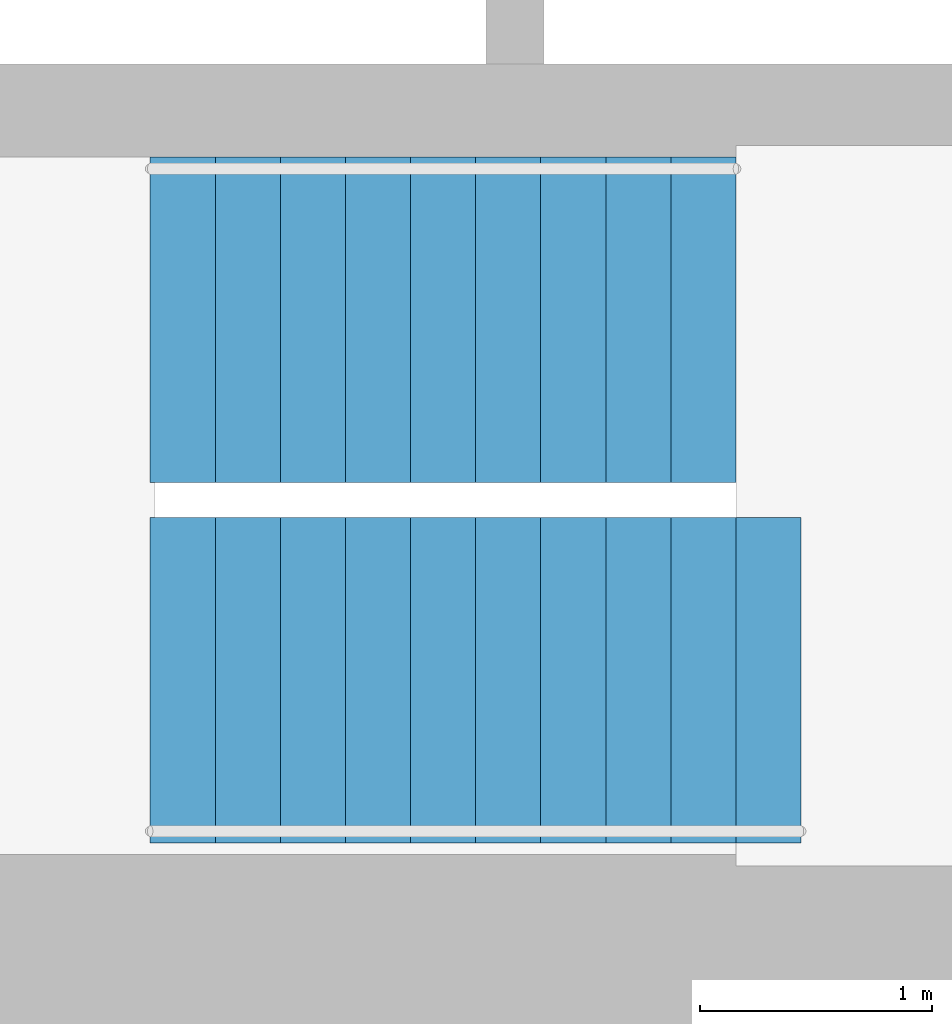
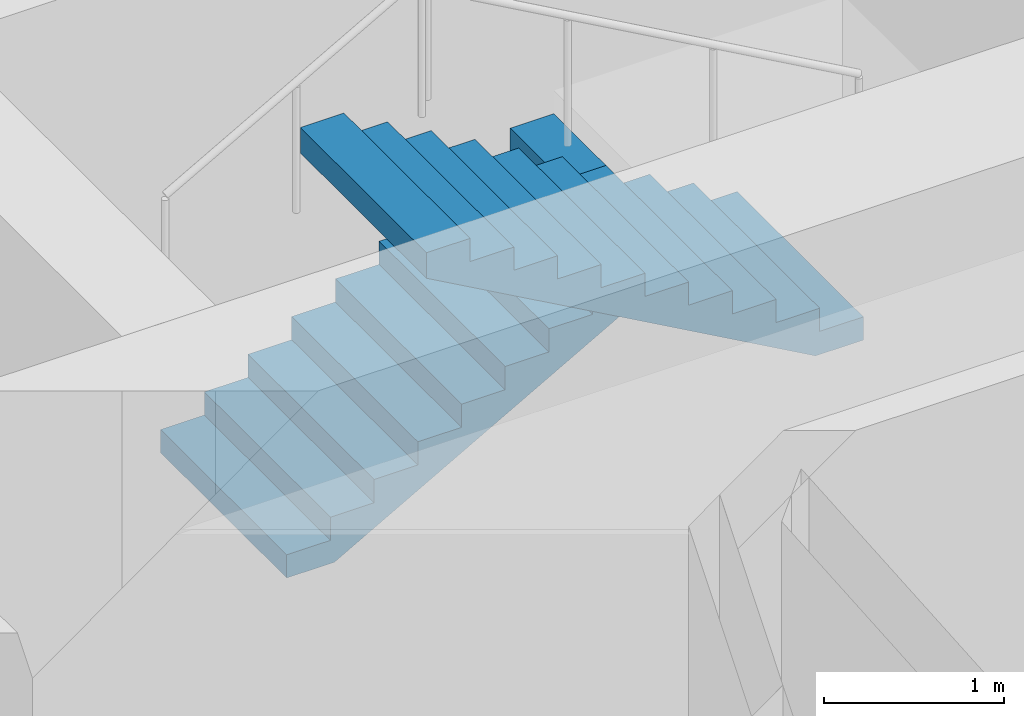
# One storey, part 13 of 14: 2 stair flights, 1 element without a shape of its own.
"""IFC4 building model written with IfcOpenShell, lengths in metres."""

import ifcopenshell
import ifcopenshell.guid

model = None  # the IFC model being written
_history = None  # IfcOwnerHistory: only IFC2X3 demands one
_inside = {}  # id of a spatial element -> (the spatial element, [elements in it])
_under = {}  # id of a project, library or spatial element -> (it, [spatial elements below it])
_declared = {}  # id of a project -> (the project, [libraries it declares])
_typed = {}  # id of a type object -> (the type object, [elements of that type])
_made_of = {}  # id of a material, layer set ... -> (it, [elements and type objects made of it])


def new_model(schema):
    """Start an empty IFC model of exactly this schema.

    Asked for "IFC4X3", IfcOpenShell would pick the latest addendum, in which some entities
    have other attributes; the version numbers below select the first issue.
    IFC2X3 requires an IfcOwnerHistory on every rooted entity: one is made here for all.
    """
    global model, _history
    if schema == "IFC4X3":
        model = ifcopenshell.file(schema_version=(4, 3, 0, 0))
    else:
        model = ifcopenshell.file(schema=schema)
    _inside.clear()
    _under.clear()
    _declared.clear()
    _typed.clear()
    _made_of.clear()
    _history = None
    if model.schema == "IFC2X3":
        org = make("IfcOrganization", Name="unknown")
        user = make(
            "IfcPersonAndOrganization",
            ThePerson=make("IfcPerson", FamilyName="unknown"),
            TheOrganization=org,
        )
        app = make(
            "IfcApplication",
            ApplicationDeveloper=org,
            Version="unknown",
            ApplicationFullName="unknown",
            ApplicationIdentifier="unknown",
        )
        _history = make(
            "IfcOwnerHistory",
            OwningUser=user,
            OwningApplication=app,
            ChangeAction="ADDED",
            CreationDate=0,
        )
    return model


def make(cls, **values):
    """One entity of the class cls with the attributes given. An attribute that is None is left unset."""
    return model.create_entity(
        cls, **{name: value for name, value in values.items() if value is not None}
    )


def rooted(cls, **values):
    """An entity with a GlobalId (a new one), such as an element, a storey or a relation."""
    return make(cls, GlobalId=ifcopenshell.guid.new(), OwnerHistory=_history, **values)


def si_unit(unit_type, name, prefix=None):
    """IfcSIUnit, for example si_unit("LENGTHUNIT", "METRE", prefix="MILLI")."""
    return make("IfcSIUnit", UnitType=unit_type, Prefix=prefix, Name=name)


def assignment(units):
    """IfcUnitAssignment: the units of a project."""
    return None if units is None else make("IfcUnitAssignment", Units=units)


def point(xyz):
    """IfcCartesianPoint."""
    return None if xyz is None else make("IfcCartesianPoint", Coordinates=xyz)


def direction(xyz):
    """IfcDirection."""
    return None if xyz is None else make("IfcDirection", DirectionRatios=xyz)


def frame(location, z_axis=None, x_axis=None):
    """IfcAxis2Placement3D, a coordinate frame: its origin and axes. An axis left out is left unset."""
    return make(
        "IfcAxis2Placement3D",
        Location=point(location),
        Axis=direction(z_axis),
        RefDirection=direction(x_axis),
    )


def origin():
    """The frame at (0, 0, 0) with its axes left unset."""
    return frame((0.0, 0.0, 0.0))


def place(relative_to, where):
    """IfcLocalPlacement: puts the frame where relative to a parent placement (None: the world)."""
    return make(
        "IfcLocalPlacement", PlacementRelTo=relative_to, RelativePlacement=where
    )


def context(
    kind, dimensions, precision=None, world=None, true_north=None, identifier=None
):
    """IfcGeometricRepresentationContext, for example the 3D "Model" context."""
    return make(
        "IfcGeometricRepresentationContext",
        ContextIdentifier=identifier,
        ContextType=kind,
        CoordinateSpaceDimension=dimensions,
        Precision=precision,
        WorldCoordinateSystem=world,
        TrueNorth=true_north,
    )


def subcontext(parent, identifier, kind, view, scale=None):
    """IfcGeometricRepresentationSubContext, for example "Body" below "Model"."""
    return make(
        "IfcGeometricRepresentationSubContext",
        ContextIdentifier=identifier,
        ContextType=kind,
        ParentContext=parent,
        TargetScale=scale,
        TargetView=view,
    )


def project(units=None, contexts=None):
    """IfcProject with its units and contexts."""
    return rooted(
        "IfcProject",
        Name="project",
        RepresentationContexts=contexts,
        UnitsInContext=assignment(units),
    )


def spatial(cls, under=None, at=None, **own):
    """A site, building, storey or space (cls), placed at a placement, below another one or the project."""
    s = rooted(cls, ObjectPlacement=at, **own)
    if under is not None:
        _under.setdefault(under.id(), (under, []))[1].append(s)
    return s


def polyline(points):
    """IfcPolyline through the points."""
    return make("IfcPolyline", Points=[point(p) for p in points])


def outline(outer, holes=None, kind="AREA"):
    """IfcArbitraryClosedProfileDef: a profile drawn as a closed curve; with holes, ...WithVoids."""
    if holes is None:
        return make("IfcArbitraryClosedProfileDef", ProfileType=kind, OuterCurve=outer)
    return make(
        "IfcArbitraryProfileDefWithVoids",
        ProfileType=kind,
        OuterCurve=outer,
        InnerCurves=holes,
    )


def extrude(swept, where, along, depth):
    """IfcExtrudedAreaSolid: the profile swept, set in the frame where, extruded along a direction by depth."""
    return make(
        "IfcExtrudedAreaSolid",
        SweptArea=swept,
        Position=where,
        ExtrudedDirection=direction(along),
        Depth=depth,
    )


def shape(context_of_items, identifier, shape_type, items):
    """IfcShapeRepresentation: the items that make up one representation, for example the "Body"."""
    return make(
        "IfcShapeRepresentation",
        ContextOfItems=context_of_items,
        RepresentationIdentifier=identifier,
        RepresentationType=shape_type,
        Items=items,
    )


def material(Name=None, Category=None):
    """IfcMaterial."""
    return make("IfcMaterial", Name=Name, Category=Category)


def made_of(thing, what):
    """Note that an element or type object is made of a material, layer set ...; save() writes the relation."""
    if what is not None:
        _made_of.setdefault(what.id(), (what, []))[1].append(thing)
    return thing


def type_object(cls, material=None, **own):
    """A type object (cls), such as IfcWallType, which elements share."""
    return made_of(rooted(cls, **own), material)


def element(
    cls,
    number,
    at=None,
    inside=None,
    cuts=None,
    type_object=None,
    material=None,
    context=None,
    identifier="Body",
    shape_type=None,
    held_by="IfcProductDefinitionShape",
    body=None,
    shapes=None,
    **own,
):
    """One element of the class cls, such as IfcWall. Its Tag is "e" and its number.

    at: its placement. inside: the storey or other place that contains it. cuts: it is an
    opening in that element (IfcRelVoidsElement). A single representation is given by context,
    identifier, shape_type and body (its items); several are given by shapes. held_by: the class
    of the entity that holds the representations. save() writes the other relations.
    """
    e = rooted(cls, Tag="e%d" % number, ObjectPlacement=at, **own)
    if body is not None:
        shapes = [shape(context, identifier, shape_type, body)]
    if shapes is not None:
        e.Representation = make(held_by, Representations=shapes)
    if inside is not None:
        _inside.setdefault(inside.id(), (inside, []))[1].append(e)
    if cuts is not None:
        rooted(
            "IfcRelVoidsElement", RelatingBuildingElement=cuts, RelatedOpeningElement=e
        )
    if type_object is not None:
        _typed.setdefault(type_object.id(), (type_object, []))[1].append(e)
    return made_of(e, material)


def aggregate(whole, parts):
    """IfcRelAggregates: a whole, such as a stair, and the parts it consists of."""
    return rooted("IfcRelAggregates", RelatingObject=whole, RelatedObjects=parts)


def save(model, path):
    """Write the relations noted so far, then the file.

    IfcRelAggregates (storeys below a building ...), IfcRelContainedInSpatialStructure (elements
    in a storey), IfcRelDefinesByType, IfcRelAssociatesMaterial and IfcRelDeclares: one each for
    every whole, place, type object, material and project.
    """
    for whole, parts in _under.values():
        aggregate(whole, parts)
    for where, things in _inside.values():
        rooted(
            "IfcRelContainedInSpatialStructure",
            RelatedElements=things,
            RelatingStructure=where,
        )
    for kind, things in _typed.values():
        rooted("IfcRelDefinesByType", RelatedObjects=things, RelatingType=kind)
    for what, things in _made_of.values():
        rooted("IfcRelAssociatesMaterial", RelatedObjects=things, RelatingMaterial=what)
    for by, libraries in _declared.values():
        rooted("IfcRelDeclares", RelatingContext=by, RelatedDefinitions=libraries)
    model.write(path)


model = new_model("IFC4")

# Units and contexts
model_context = context("Model", 3, precision=1e-05, world=origin(), true_north=direction((0.0, 1.0)))
body_context = subcontext(model_context, "Body", "Model", "MODEL_VIEW")
ifc_project = project(units=[si_unit("LENGTHUNIT", "METRE"), si_unit("AREAUNIT", "SQUARE_METRE"), si_unit("VOLUMEUNIT", "CUBIC_METRE"), si_unit("PLANEANGLEUNIT", "RADIAN"), si_unit("MASSUNIT", "GRAM", prefix="KILO")], contexts=[model_context])

# Site, building, storey
site_placement = place(None, origin())
site = spatial("IfcSite", under=ifc_project, at=site_placement, CompositionType="ELEMENT")
building_placement = place(site_placement, origin())
building = spatial("IfcBuilding", under=site, at=building_placement, Name="Hankou Lantern Tower", CompositionType="ELEMENT")
storey_placement = place(building_placement, frame((0.0, 0.0, 29.39990234375)))
storey = spatial("IfcBuildingStorey", under=building, at=storey_placement, Name="L05", CompositionType="ELEMENT", Elevation=29.39990234375)

# Stair, stair flights
ifc_material_1 = material(Name="Concrete C40", Category="concrete")
stair_type = type_object("IfcStairType", Name="ST33 CORE STAIR 3300 RISE", PredefinedType="HALF_TURN_STAIR", material=ifc_material_1)
stair_placement = place(storey_placement, origin())
stair = element("IfcStair", 1, at=stair_placement, inside=storey, type_object=stair_type, Name="Stair STB L05", PredefinedType="HALF_TURN_STAIR")
ifc_material_2 = material(Name="Concrete C40", Category="concrete")
stair_flight_type_1 = type_object("IfcStairFlightType", Name="CF10 CORE STAIR FLIGHT 1400 X 10 RISERS", PredefinedType="STRAIGHT", material=ifc_material_2)
stair_flight_1_placement = place(storey_placement, frame((4.429931640625, -5.199951171875, 0.0), z_axis=(0.0, 0.0, 1.0), x_axis=(1.0, 0.0, 0.0)))
stair_flight_1 = element("IfcStairFlight", 2, at=stair_flight_1_placement, type_object=stair_flight_type_1, Name="STB flight 1", NumberOfRisers=10, NumberOfTreads=9, PredefinedType="STRAIGHT", RiserHeight=0.157142857, TreadLength=0.28, context=body_context, shape_type="SweptSolid", body=[
    extrude(outline(polyline([(0.0, 0.0), (0.0, 0.1572265625), (0.280029296875, 0.1572265625), (0.280029296875, 0.314208984375), (0.56005859375, 0.314208984375), (0.56005859375, 0.471435546875), (0.840087890625, 0.471435546875), (0.840087890625, 0.628662109375), (1.1201171875, 0.628662109375), (1.1201171875, 0.78564453125), (1.39990234375, 0.78564453125), (1.39990234375, 0.94287109375), (1.679931640625, 0.94287109375), (1.679931640625, 1.10009765625), (1.9599609375, 1.10009765625), (1.9599609375, 1.257080078125), (2.239990234375, 1.257080078125), (2.239990234375, 1.414306640625), (2.52001953125, 1.414306640625), (2.52001953125, 1.571533203125), (2.52001953125, 1.242431640625), (0.306396484375, 0.0), (0.0, 0.0)])), frame((0.0, 0.699951171875, 0.0), z_axis=(0.0, -1.0, 0.0), x_axis=(1.0, 0.0, 0.0)), (0.0, 0.0, 1.0), 1.39990234375),
])
ifc_material_3 = material(Name="Concrete C40", Category="concrete")
stair_flight_type_2 = type_object("IfcStairFlightType", Name="CF11 CORE STAIR FLIGHT 1400 X 11 RISERS", PredefinedType="STRAIGHT", material=ifc_material_3)
stair_flight_2_placement = place(storey_placement, frame((7.22998046875, -6.75, 1.571533203125), z_axis=(0.0, 0.0, 1.0), x_axis=(-1.0, 0.0, 0.0)))
stair_flight_2 = element("IfcStairFlight", 3, at=stair_flight_2_placement, type_object=stair_flight_type_2, Name="STB flight 2", NumberOfRisers=11, NumberOfTreads=10, PredefinedType="STRAIGHT", RiserHeight=0.157142857, TreadLength=0.28, context=body_context, shape_type="SweptSolid", body=[
    extrude(outline(polyline([(0.0, 0.0), (0.0, 0.1572265625), (0.280029296875, 0.1572265625), (0.280029296875, 0.314208984375), (0.56005859375, 0.314208984375), (0.56005859375, 0.471435546875), (0.840087890625, 0.471435546875), (0.840087890625, 0.628662109375), (1.1201171875, 0.628662109375), (1.1201171875, 0.78564453125), (1.39990234375, 0.78564453125), (1.39990234375, 0.94287109375), (1.679931640625, 0.94287109375), (1.679931640625, 1.10009765625), (1.9599609375, 1.10009765625), (1.9599609375, 1.257080078125), (2.239990234375, 1.257080078125), (2.239990234375, 1.414306640625), (2.52001953125, 1.414306640625), (2.52001953125, 1.571533203125), (2.800048828125, 1.571533203125), (2.800048828125, 1.728515625), (2.800048828125, 1.3994140625), (0.306396484375, 0.0), (0.0, 0.0)])), frame((0.0, 0.699951171875, 0.0), z_axis=(0.0, -1.0, 0.0), x_axis=(1.0, 0.0, 0.0)), (0.0, 0.0, 1.0), 1.39990234375),
])
aggregate(stair, [stair_flight_1, stair_flight_2])

save(model, "model.ifc")
